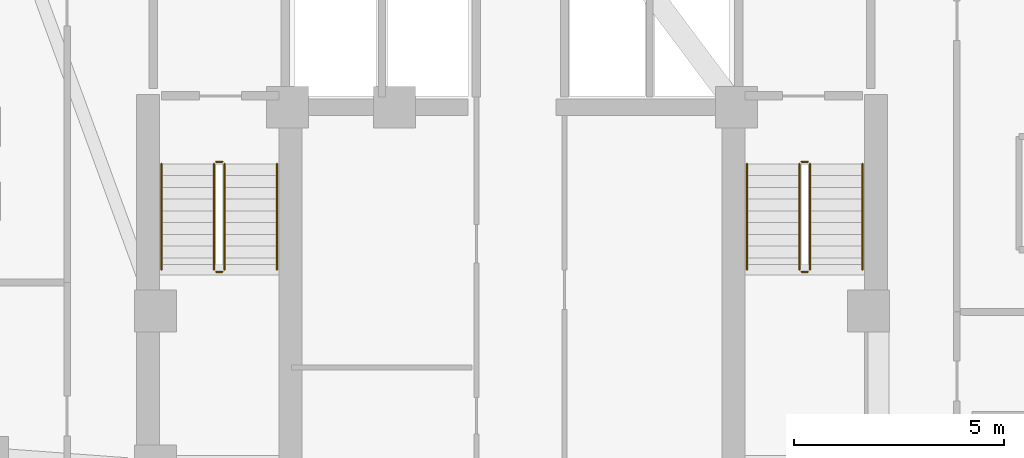
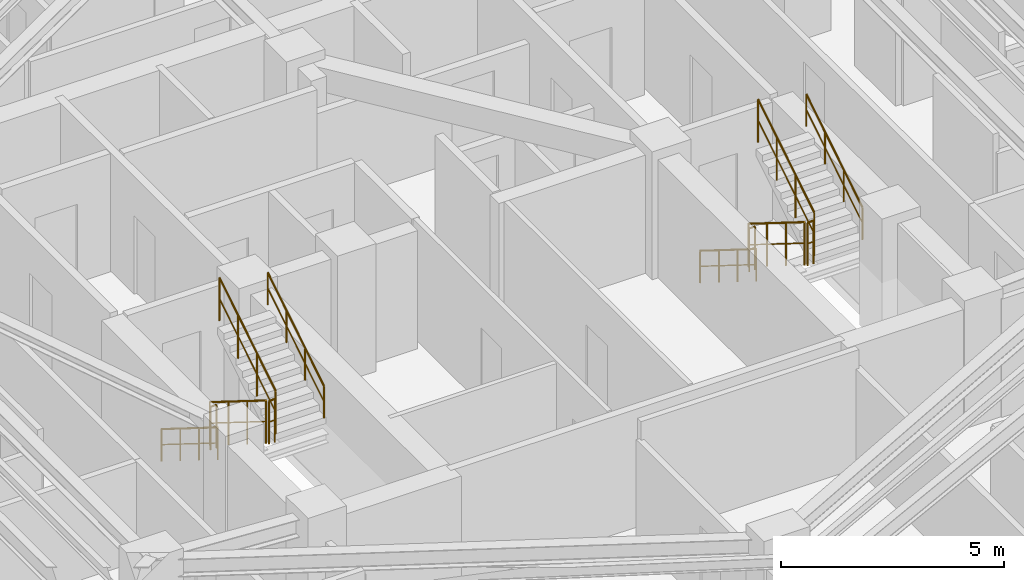
# One storey, part 12 of 12: 12 railings.
"""IFC4 building model written with IfcOpenShell, lengths in metres."""

from ifc_helpers import new_model, si_unit, direction, frame, origin, origin_2d, place, context, subcontext, project, spatial, circle, extrude, material, type_object, element, save


model = new_model("IFC4")

# Units and contexts
model_context = context("Model", 3, precision=1e-05, world=origin(), true_north=direction((0.0, 1.0)))
body_context = subcontext(model_context, "Body", "Model", "MODEL_VIEW")
ifc_project = project(units=[si_unit("LENGTHUNIT", "METRE"), si_unit("AREAUNIT", "SQUARE_METRE"), si_unit("VOLUMEUNIT", "CUBIC_METRE"), si_unit("PLANEANGLEUNIT", "RADIAN"), si_unit("MASSUNIT", "GRAM", prefix="KILO")], contexts=[model_context])

# Site, building, storey
site_placement = place(None, origin())
site = spatial("IfcSite", under=ifc_project, at=site_placement, CompositionType="ELEMENT")
building_placement = place(site_placement, origin())
building = spatial("IfcBuilding", under=site, at=building_placement, Name="Miruveldt Soraemaru", CompositionType="ELEMENT")
storey_placement = place(building_placement, frame((0.0, 0.0, 145.89990234375)))
storey = spatial("IfcBuildingStorey", under=building, at=storey_placement, Name="L40", CompositionType="ELEMENT", Elevation=145.89990234375)

# Railings
ifc_material = material(Name="Steel S355 (355 MPa)", Category="steel")
railing_type_1 = type_object("IfcRailingType", Name="RAIL-HR-900", PredefinedType="HANDRAIL", material=ifc_material)
railing_1_placement = place(storey_placement, frame((35.64990234375, 42.699951171875, 0.175048828125)))
element("IfcRailing", 1, at=railing_1_placement, inside=storey, type_object=railing_type_1, Name="L40 ST-1 stair handrail 1", PredefinedType="HANDRAIL", context=body_context, shape_type="SweptSolid", body=[
    extrude(circle(Radius=0.02392578125, at=origin_2d()), frame((0.0, 0.0, 0.8759765625), z_axis=(0.0, -0.848007534815, 0.529984170421), x_axis=(1.0, 0.0, 0.0)), (0.0, 0.0, 1.0), 2.9716796875),
    extrude(circle(Radius=0.01611328125, at=origin_2d()), frame((0.0, 0.0, 0.449951171875), z_axis=(0.0, -0.848007534815, 0.529984170421), x_axis=(1.0, 0.0, 0.0)), (0.0, 0.0, 1.0), 2.9716796875),
    extrude(circle(Radius=0.02099609375, at=origin_2d()), origin(), (0.0, 0.0, 1.0), 0.851806640625),
    extrude(circle(Radius=0.02099609375, at=origin_2d()), frame((0.0, -0.840087890625, 0.52490234375)), (0.0, 0.0, 1.0), 0.851806640625),
    extrude(circle(Radius=0.02099609375, at=origin_2d()), frame((0.0, -1.679931640625, 1.050048828125)), (0.0, 0.0, 1.0), 0.851806640625),
    extrude(circle(Radius=0.02099609375, at=origin_2d()), frame((0.0, -2.52001953125, 1.574951171875)), (0.0, 0.0, 1.0), 0.851806640625),
])
railing_2_placement = place(storey_placement, frame((38.39990234375, 40.179931640625, 1.925048828125)))
element("IfcRailing", 2, at=railing_2_placement, inside=storey, type_object=railing_type_1, Name="L40 ST-1 stair handrail 2", PredefinedType="HANDRAIL", context=body_context, shape_type="SweptSolid", body=[
    extrude(circle(Radius=0.02392578125, at=origin_2d()), frame((0.0, 0.0, 0.8759765625), z_axis=(0.0, 0.848007534815, 0.529984170421), x_axis=(-1.0, 0.0, 0.0)), (0.0, 0.0, 1.0), 2.9716796875),
    extrude(circle(Radius=0.01611328125, at=origin_2d()), frame((0.0, 0.0, 0.449951171875), z_axis=(0.0, 0.848007534815, 0.529984170421), x_axis=(-1.0, 0.0, 0.0)), (0.0, 0.0, 1.0), 2.9716796875),
    extrude(circle(Radius=0.02099609375, at=origin_2d()), origin(), (0.0, 0.0, 1.0), 0.851806640625),
    extrude(circle(Radius=0.02099609375, at=origin_2d()), frame((0.0, 0.840087890625, 0.52490234375)), (0.0, 0.0, 1.0), 0.851806640625),
    extrude(circle(Radius=0.02099609375, at=origin_2d()), frame((0.0, 1.679931640625, 1.050048828125)), (0.0, 0.0, 1.0), 0.851806640625),
    extrude(circle(Radius=0.02099609375, at=origin_2d()), frame((0.0, 2.52001953125, 1.574951171875)), (0.0, 0.0, 1.0), 0.851806640625),
])
railing_3_placement = place(storey_placement, frame((49.60009765625, 42.699951171875, 0.175048828125)))
element("IfcRailing", 3, at=railing_3_placement, inside=storey, type_object=railing_type_1, Name="L40 ST-2 stair handrail 1", PredefinedType="HANDRAIL", context=body_context, shape_type="SweptSolid", body=[
    extrude(circle(Radius=0.02392578125, at=origin_2d()), frame((0.0, 0.0, 0.8759765625), z_axis=(0.0, -0.848007534815, 0.529984170421), x_axis=(1.0, 0.0, 0.0)), (0.0, 0.0, 1.0), 2.9716796875),
    extrude(circle(Radius=0.01611328125, at=origin_2d()), frame((0.0, 0.0, 0.449951171875), z_axis=(0.0, -0.848007534815, 0.529984170421), x_axis=(1.0, 0.0, 0.0)), (0.0, 0.0, 1.0), 2.9716796875),
    extrude(circle(Radius=0.02099609375, at=origin_2d()), origin(), (0.0, 0.0, 1.0), 0.851806640625),
    extrude(circle(Radius=0.02099609375, at=origin_2d()), frame((0.0, -0.840087890625, 0.52490234375)), (0.0, 0.0, 1.0), 0.851806640625),
    extrude(circle(Radius=0.02099609375, at=origin_2d()), frame((0.0, -1.679931640625, 1.050048828125)), (0.0, 0.0, 1.0), 0.851806640625),
    extrude(circle(Radius=0.02099609375, at=origin_2d()), frame((0.0, -2.52001953125, 1.574951171875)), (0.0, 0.0, 1.0), 0.851806640625),
])
railing_4_placement = place(storey_placement, frame((52.35009765625, 40.179931640625, 1.925048828125)))
element("IfcRailing", 4, at=railing_4_placement, inside=storey, type_object=railing_type_1, Name="L40 ST-2 stair handrail 2", PredefinedType="HANDRAIL", context=body_context, shape_type="SweptSolid", body=[
    extrude(circle(Radius=0.02392578125, at=origin_2d()), frame((0.0, 0.0, 0.8759765625), z_axis=(0.0, 0.848007534815, 0.529984170421), x_axis=(-1.0, 0.0, 0.0)), (0.0, 0.0, 1.0), 2.9716796875),
    extrude(circle(Radius=0.01611328125, at=origin_2d()), frame((0.0, 0.0, 0.449951171875), z_axis=(0.0, 0.848007534815, 0.529984170421), x_axis=(-1.0, 0.0, 0.0)), (0.0, 0.0, 1.0), 2.9716796875),
    extrude(circle(Radius=0.02099609375, at=origin_2d()), origin(), (0.0, 0.0, 1.0), 0.851806640625),
    extrude(circle(Radius=0.02099609375, at=origin_2d()), frame((0.0, 0.840087890625, 0.52490234375)), (0.0, 0.0, 1.0), 0.851806640625),
    extrude(circle(Radius=0.02099609375, at=origin_2d()), frame((0.0, 1.679931640625, 1.050048828125)), (0.0, 0.0, 1.0), 0.851806640625),
    extrude(circle(Radius=0.02099609375, at=origin_2d()), frame((0.0, 2.52001953125, 1.574951171875)), (0.0, 0.0, 1.0), 0.851806640625),
])
railing_type_2 = type_object("IfcRailingType", Name="RAIL-STGUARD-1200", PredefinedType="GUARDRAIL", material=ifc_material)
railing_5_placement = place(storey_placement, frame((36.89990234375, 42.699951171875, 0.175048828125)))
element("IfcRailing", 5, at=railing_5_placement, inside=storey, type_object=railing_type_2, Name="L40 ST-1 stair guard 1", PredefinedType="GUARDRAIL", context=body_context, shape_type="SweptSolid", body=[
    extrude(circle(Radius=0.02392578125, at=origin_2d()), frame((0.0, 0.0, 1.17578125), z_axis=(0.0, -0.848007534815, 0.529984170421), x_axis=(1.0, 0.0, 0.0)), (0.0, 0.0, 1.0), 2.9716796875),
    extrude(circle(Radius=0.01611328125, at=origin_2d()), frame((0.0, 0.0, 0.60009765625), z_axis=(0.0, -0.848007534815, 0.529984170421), x_axis=(1.0, 0.0, 0.0)), (0.0, 0.0, 1.0), 2.9716796875),
    extrude(circle(Radius=0.02099609375, at=origin_2d()), origin(), (0.0, 0.0, 1.0), 1.15185546875),
    extrude(circle(Radius=0.02099609375, at=origin_2d()), frame((0.0, -0.840087890625, 0.52490234375)), (0.0, 0.0, 1.0), 1.15185546875),
    extrude(circle(Radius=0.02099609375, at=origin_2d()), frame((0.0, -1.679931640625, 1.050048828125)), (0.0, 0.0, 1.0), 1.15185546875),
    extrude(circle(Radius=0.02099609375, at=origin_2d()), frame((0.0, -2.52001953125, 1.574951171875)), (0.0, 0.0, 1.0), 1.15185546875),
])
railing_6_placement = place(storey_placement, frame((36.949951171875, 40.1298828125, 1.75)))
element("IfcRailing", 6, at=railing_6_placement, inside=storey, type_object=railing_type_2, Name="L40 ST-1 stair guard 2", PredefinedType="GUARDRAIL", context=body_context, shape_type="SweptSolid", body=[
    extrude(circle(Radius=0.02392578125, at=origin_2d()), frame((0.0, 0.0, 1.17578125), z_axis=(1.0, 0.0, 0.0), x_axis=(0.0, 1.0, 0.0)), (0.0, 0.0, 1.0), 0.150146484375),
    extrude(circle(Radius=0.01611328125, at=origin_2d()), frame((0.0, 0.0, 0.60009765625), z_axis=(1.0, 0.0, 0.0), x_axis=(0.0, 1.0, 0.0)), (0.0, 0.0, 1.0), 0.150146484375),
    extrude(circle(Radius=0.02099609375, at=origin_2d()), origin(), (0.0, 0.0, 1.0), 1.15185546875),
    extrude(circle(Radius=0.02099609375, at=origin_2d()), frame((0.150146484375, 0.0, 0.0)), (0.0, 0.0, 1.0), 1.15185546875),
])
railing_7_placement = place(storey_placement, frame((37.14990234375, 40.179931640625, 1.925048828125)))
element("IfcRailing", 7, at=railing_7_placement, inside=storey, type_object=railing_type_2, Name="L40 ST-1 stair guard 3", PredefinedType="GUARDRAIL", context=body_context, shape_type="SweptSolid", body=[
    extrude(circle(Radius=0.02392578125, at=origin_2d()), frame((0.0, 0.0, 1.17578125), z_axis=(0.0, 0.848007534815, 0.529984170421), x_axis=(-1.0, 0.0, 0.0)), (0.0, 0.0, 1.0), 2.9716796875),
    extrude(circle(Radius=0.01611328125, at=origin_2d()), frame((0.0, 0.0, 0.60009765625), z_axis=(0.0, 0.848007534815, 0.529984170421), x_axis=(-1.0, 0.0, 0.0)), (0.0, 0.0, 1.0), 2.9716796875),
    extrude(circle(Radius=0.02099609375, at=origin_2d()), origin(), (0.0, 0.0, 1.0), 1.15185546875),
    extrude(circle(Radius=0.02099609375, at=origin_2d()), frame((0.0, 0.840087890625, 0.52490234375)), (0.0, 0.0, 1.0), 1.15185546875),
    extrude(circle(Radius=0.02099609375, at=origin_2d()), frame((0.0, 1.679931640625, 1.050048828125)), (0.0, 0.0, 1.0), 1.15185546875),
    extrude(circle(Radius=0.02099609375, at=origin_2d()), frame((0.0, 2.52001953125, 1.574951171875)), (0.0, 0.0, 1.0), 1.15185546875),
])
railing_8_placement = place(storey_placement, frame((36.949951171875, 42.75, 0.0)))
element("IfcRailing", 8, at=railing_8_placement, inside=storey, type_object=railing_type_2, Name="L40 ST-1 stair guard 4", PredefinedType="GUARDRAIL", context=body_context, shape_type="SweptSolid", body=[
    extrude(circle(Radius=0.02392578125, at=origin_2d()), frame((0.0, 0.0, 1.17578125), z_axis=(1.0, 0.0, 0.0), x_axis=(0.0, 1.0, 0.0)), (0.0, 0.0, 1.0), 0.150146484375),
    extrude(circle(Radius=0.01611328125, at=origin_2d()), frame((0.0, 0.0, 0.60009765625), z_axis=(1.0, 0.0, 0.0), x_axis=(0.0, 1.0, 0.0)), (0.0, 0.0, 1.0), 0.150146484375),
    extrude(circle(Radius=0.02099609375, at=origin_2d()), origin(), (0.0, 0.0, 1.0), 1.15185546875),
    extrude(circle(Radius=0.02099609375, at=origin_2d()), frame((0.150146484375, 0.0, 0.0)), (0.0, 0.0, 1.0), 1.15185546875),
])
railing_9_placement = place(storey_placement, frame((50.85009765625, 42.699951171875, 0.175048828125)))
element("IfcRailing", 9, at=railing_9_placement, inside=storey, type_object=railing_type_2, Name="L40 ST-2 stair guard 1", PredefinedType="GUARDRAIL", context=body_context, shape_type="SweptSolid", body=[
    extrude(circle(Radius=0.02392578125, at=origin_2d()), frame((0.0, 0.0, 1.17578125), z_axis=(0.0, -0.848007534815, 0.529984170421), x_axis=(1.0, 0.0, 0.0)), (0.0, 0.0, 1.0), 2.9716796875),
    extrude(circle(Radius=0.01611328125, at=origin_2d()), frame((0.0, 0.0, 0.60009765625), z_axis=(0.0, -0.848007534815, 0.529984170421), x_axis=(1.0, 0.0, 0.0)), (0.0, 0.0, 1.0), 2.9716796875),
    extrude(circle(Radius=0.02099609375, at=origin_2d()), origin(), (0.0, 0.0, 1.0), 1.15185546875),
    extrude(circle(Radius=0.02099609375, at=origin_2d()), frame((0.0, -0.840087890625, 0.52490234375)), (0.0, 0.0, 1.0), 1.15185546875),
    extrude(circle(Radius=0.02099609375, at=origin_2d()), frame((0.0, -1.679931640625, 1.050048828125)), (0.0, 0.0, 1.0), 1.15185546875),
    extrude(circle(Radius=0.02099609375, at=origin_2d()), frame((0.0, -2.52001953125, 1.574951171875)), (0.0, 0.0, 1.0), 1.15185546875),
])
railing_10_placement = place(storey_placement, frame((50.89990234375, 40.1298828125, 1.75)))
element("IfcRailing", 10, at=railing_10_placement, inside=storey, type_object=railing_type_2, Name="L40 ST-2 stair guard 2", PredefinedType="GUARDRAIL", context=body_context, shape_type="SweptSolid", body=[
    extrude(circle(Radius=0.02392578125, at=origin_2d()), frame((0.0, 0.0, 1.17578125), z_axis=(1.0, 0.0, 0.0), x_axis=(0.0, 1.0, 0.0)), (0.0, 0.0, 1.0), 0.150146484375),
    extrude(circle(Radius=0.01611328125, at=origin_2d()), frame((0.0, 0.0, 0.60009765625), z_axis=(1.0, 0.0, 0.0), x_axis=(0.0, 1.0, 0.0)), (0.0, 0.0, 1.0), 0.150146484375),
    extrude(circle(Radius=0.02099609375, at=origin_2d()), origin(), (0.0, 0.0, 1.0), 1.15185546875),
    extrude(circle(Radius=0.02099609375, at=origin_2d()), frame((0.150146484375, 0.0, 0.0)), (0.0, 0.0, 1.0), 1.15185546875),
])
railing_11_placement = place(storey_placement, frame((51.10009765625, 40.179931640625, 1.925048828125)))
element("IfcRailing", 11, at=railing_11_placement, inside=storey, type_object=railing_type_2, Name="L40 ST-2 stair guard 3", PredefinedType="GUARDRAIL", context=body_context, shape_type="SweptSolid", body=[
    extrude(circle(Radius=0.02392578125, at=origin_2d()), frame((0.0, 0.0, 1.17578125), z_axis=(0.0, 0.848007534815, 0.529984170421), x_axis=(-1.0, 0.0, 0.0)), (0.0, 0.0, 1.0), 2.9716796875),
    extrude(circle(Radius=0.01611328125, at=origin_2d()), frame((0.0, 0.0, 0.60009765625), z_axis=(0.0, 0.848007534815, 0.529984170421), x_axis=(-1.0, 0.0, 0.0)), (0.0, 0.0, 1.0), 2.9716796875),
    extrude(circle(Radius=0.02099609375, at=origin_2d()), origin(), (0.0, 0.0, 1.0), 1.15185546875),
    extrude(circle(Radius=0.02099609375, at=origin_2d()), frame((0.0, 0.840087890625, 0.52490234375)), (0.0, 0.0, 1.0), 1.15185546875),
    extrude(circle(Radius=0.02099609375, at=origin_2d()), frame((0.0, 1.679931640625, 1.050048828125)), (0.0, 0.0, 1.0), 1.15185546875),
    extrude(circle(Radius=0.02099609375, at=origin_2d()), frame((0.0, 2.52001953125, 1.574951171875)), (0.0, 0.0, 1.0), 1.15185546875),
])
railing_12_placement = place(storey_placement, frame((50.89990234375, 42.75, 0.0)))
element("IfcRailing", 12, at=railing_12_placement, inside=storey, type_object=railing_type_2, Name="L40 ST-2 stair guard 4", PredefinedType="GUARDRAIL", context=body_context, shape_type="SweptSolid", body=[
    extrude(circle(Radius=0.02392578125, at=origin_2d()), frame((0.0, 0.0, 1.17578125), z_axis=(1.0, 0.0, 0.0), x_axis=(0.0, 1.0, 0.0)), (0.0, 0.0, 1.0), 0.150146484375),
    extrude(circle(Radius=0.01611328125, at=origin_2d()), frame((0.0, 0.0, 0.60009765625), z_axis=(1.0, 0.0, 0.0), x_axis=(0.0, 1.0, 0.0)), (0.0, 0.0, 1.0), 0.150146484375),
    extrude(circle(Radius=0.02099609375, at=origin_2d()), origin(), (0.0, 0.0, 1.0), 1.15185546875),
    extrude(circle(Radius=0.02099609375, at=origin_2d()), frame((0.150146484375, 0.0, 0.0)), (0.0, 0.0, 1.0), 1.15185546875),
])

save(model, "model.ifc")
